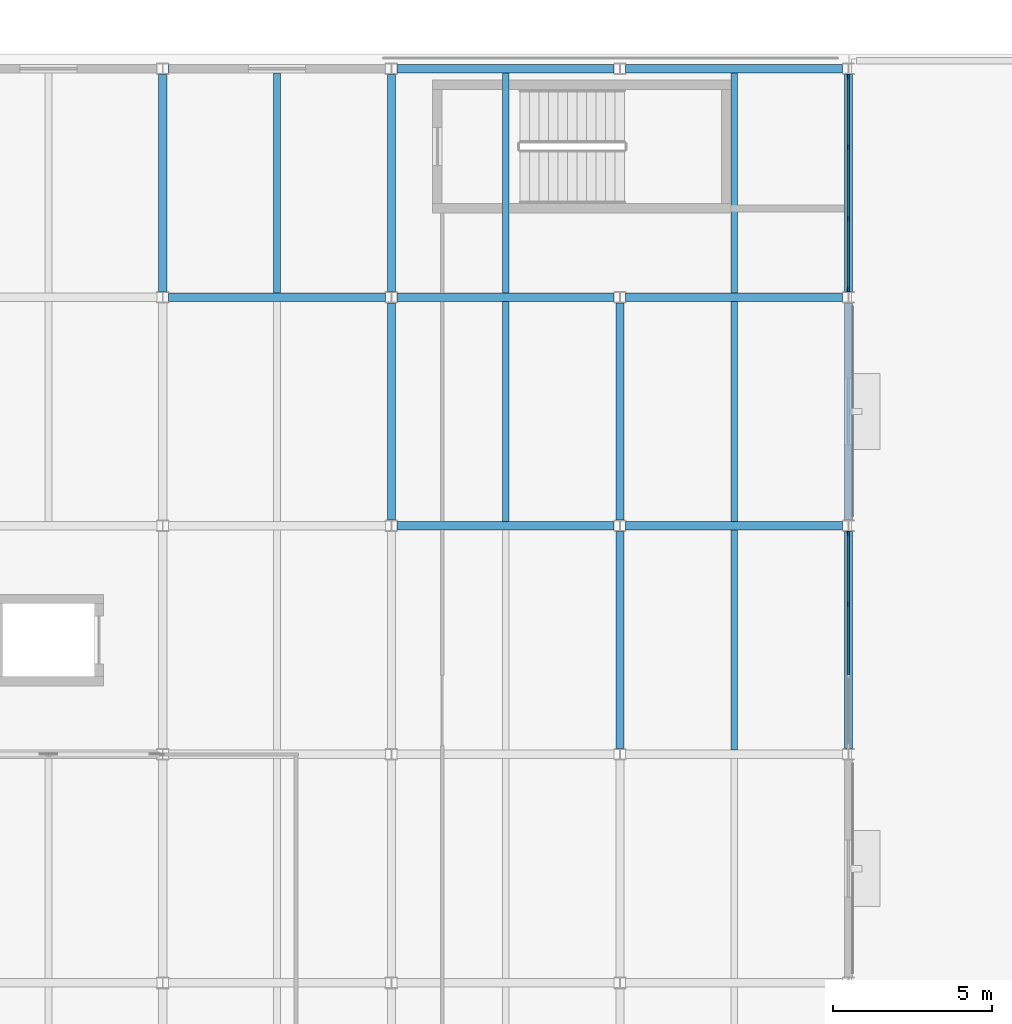
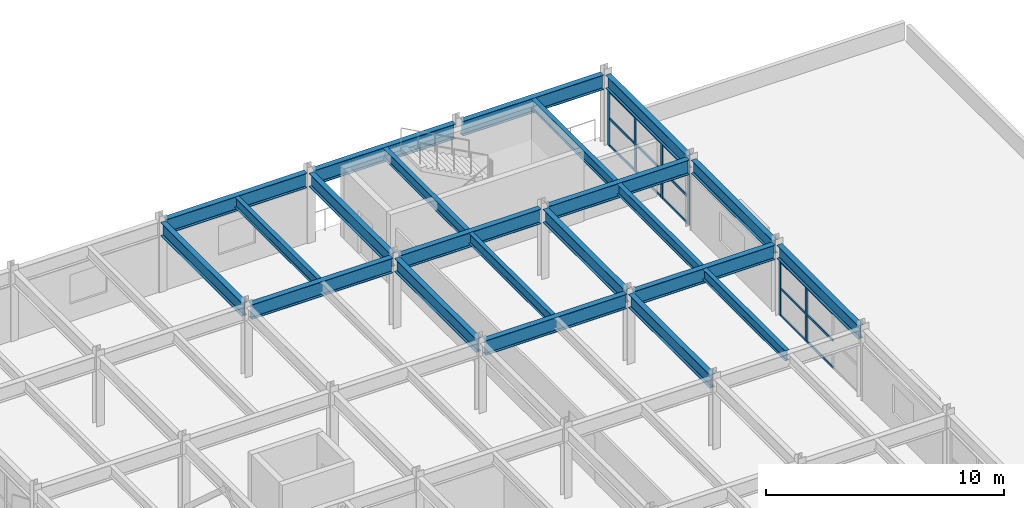
# One storey, part 37 of 80: 22 beams, 21 members, 2 elements without a shape of their own.
"""IFC4 building model written with IfcOpenShell, lengths in metres."""

from ifc_helpers import new_model, si_unit, direction, frame, origin, origin_2d, place, context, subcontext, project, spatial, rectangle, i_section, extrude, material, material_profile, profile_set, type_object, element, aggregate, save


model = new_model("IFC4")

# Units and contexts
model_context = context("Model", 3, precision=1e-05, world=origin(), true_north=direction((0.0, 1.0)))
body_context = subcontext(model_context, "Body", "Model", "MODEL_VIEW")
ifc_project = project(units=[si_unit("LENGTHUNIT", "METRE"), si_unit("AREAUNIT", "SQUARE_METRE"), si_unit("VOLUMEUNIT", "CUBIC_METRE"), si_unit("PLANEANGLEUNIT", "RADIAN"), si_unit("MASSUNIT", "GRAM", prefix="KILO")], contexts=[model_context])

# Site, building, storey
site_placement = place(None, origin())
site = spatial("IfcSite", under=ifc_project, at=site_placement, CompositionType="ELEMENT")
building_placement = place(site_placement, origin())
building = spatial("IfcBuilding", under=site, at=building_placement, Name="Vaelcorin Mobility Hub", CompositionType="ELEMENT")
storey_placement = place(building_placement, frame((0.0, 0.0, 9.300048828125)))
storey = spatial("IfcBuildingStorey", under=building, at=storey_placement, Name="L02", CompositionType="ELEMENT", Elevation=9.300048828125)

# Beams
ifc_material_1 = material(Name="Steel ASTM A992 Grade 50", Category="steel")
ifc_material_profile_1 = material_profile(ifc_material_1, i_section(OverallWidth=0.2099609375, OverallDepth=0.532958984375, WebThickness=0.01025390625, FlangeThickness=0.015625, FilletRadius=0.013916015625, at=origin_2d()), Name="W21X62")
ifc_profile_set_1 = profile_set([ifc_material_profile_1], Name="Steel ASTM A992 Grade 50")
beam_type_1 = type_object("IfcBeamType", Name="BM-W21X62", PredefinedType="JOIST", material=ifc_profile_set_1)
for number, where, z_axis, x_axis, name in (
    (1, (171.60009765625, 112.931884765625, 3.333984375), (0.0, 1.0, 0.0), (-1.0, 0.0, 0.0), "L02 Beam V5-L02-J-03-14-1"),
    (2, (178.800048828125, 105.73193359375, 3.333984375), (0.0, 1.0, 0.0), (-1.0, 0.0, 0.0), "L02 Beam V5-L02-J-04-13-1"),
    (3, (178.800048828125, 112.931884765625, 3.333984375), (0.0, 1.0, 0.0), (-1.0, 0.0, 0.0), "L02 Beam V5-L02-J-04-14-1"),
    (4, (186.0, 98.531982421875, 3.333984375), (0.0, 1.0, 0.0), (-1.0, 0.0, 0.0), "L02 Beam V5-L02-J-05-12-1"),
    (5, (186.0, 105.73193359375, 3.333984375), (0.0, 1.0, 0.0), (-1.0, 0.0, 0.0), "L02 Beam V5-L02-J-05-13-1"),
    (6, (186.0, 112.931884765625, 3.333984375), (0.0, 1.0, 0.0), (-1.0, 0.0, 0.0), "L02 Beam V5-L02-J-05-14-1"),
):
    element("IfcBeam", number, at=place(storey_placement, frame(where, z_axis=z_axis, x_axis=x_axis)), inside=storey, type_object=beam_type_1, Name=name, PredefinedType="JOIST", context=body_context, shape_type="SweptSolid", body=[
        extrude(i_section(OverallWidth=0.2099609375, OverallDepth=0.532958984375, WebThickness=0.01025390625, FlangeThickness=0.015625, FilletRadius=0.013916015625, at=origin_2d()), origin(), (0.0, 0.0, 1.0), 6.93603515625),
    ])
ifc_material_profile_2 = material_profile(ifc_material_1, i_section(OverallWidth=0.25390625, OverallDepth=0.68310546875, WebThickness=0.012451171875, FlangeThickness=0.018798828125, FilletRadius=0.01611328125, at=origin_2d()), Name="W27X94")
ifc_profile_set_2 = profile_set([ifc_material_profile_2], Name="Steel ASTM A992 Grade 50")
beam_type_2 = type_object("IfcBeamType", Name="BM-W27X94", PredefinedType="BEAM", material=ifc_profile_set_2)
beam_1_placement = place(storey_placement, frame((168.0, 112.97607421875, 3.258056640625), z_axis=(0.0, 1.0, 0.0), x_axis=(-1.0, 0.0, 0.0)))
element("IfcBeam", 7, at=beam_1_placement, inside=storey, type_object=beam_type_2, Name="L02 Beam V5-L02-GY-03-14", PredefinedType="BEAM", context=body_context, shape_type="SweptSolid", body=[
    extrude(i_section(OverallWidth=0.25390625, OverallDepth=0.68310546875, WebThickness=0.012451171875, FlangeThickness=0.018798828125, FilletRadius=0.01611328125, at=origin_2d()), origin(), (0.0, 0.0, 1.0), 6.847900390625),
])
beam_2_placement = place(storey_placement, frame((175.199951171875, 105.77587890625, 3.258056640625), z_axis=(0.0, 1.0, 0.0), x_axis=(-1.0, 0.0, 0.0)))
element("IfcBeam", 8, at=beam_2_placement, inside=storey, type_object=beam_type_2, Name="L02 Beam V5-L02-GY-04-13", PredefinedType="BEAM", context=body_context, shape_type="SweptSolid", body=[
    extrude(i_section(OverallWidth=0.25390625, OverallDepth=0.68310546875, WebThickness=0.012451171875, FlangeThickness=0.018798828125, FilletRadius=0.01611328125, at=origin_2d()), origin(), (0.0, 0.0, 1.0), 6.84814453125),
])
beam_3_placement = place(storey_placement, frame((175.199951171875, 112.97607421875, 3.258056640625), z_axis=(0.0, 1.0, 0.0), x_axis=(-1.0, 0.0, 0.0)))
element("IfcBeam", 9, at=beam_3_placement, inside=storey, type_object=beam_type_2, Name="L02 Beam V5-L02-GY-04-14", PredefinedType="BEAM", context=body_context, shape_type="SweptSolid", body=[
    extrude(i_section(OverallWidth=0.25390625, OverallDepth=0.68310546875, WebThickness=0.012451171875, FlangeThickness=0.018798828125, FilletRadius=0.01611328125, at=origin_2d()), origin(), (0.0, 0.0, 1.0), 6.847900390625),
])
for number, where, z_axis, x_axis, name in (
    (10, (182.39990234375, 98.575927734375, 3.258056640625), (0.0, 1.0, 0.0), (-1.0, 0.0, 0.0), "L02 Beam V5-L02-GY-05-12"),
    (11, (182.39990234375, 105.77587890625, 3.258056640625), (0.0, 1.0, 0.0), (-1.0, 0.0, 0.0), "L02 Beam V5-L02-GY-05-13"),
    (12, (189.60009765625, 98.575927734375, 3.258056640625), (0.0, 1.0, 0.0), (-1.0, 0.0, 0.0), "L02 Beam V5-L02-GY-06-12"),
    (13, (189.60009765625, 105.77587890625, 3.258056640625), (0.0, 1.0, 0.0), (-1.0, 0.0, 0.0), "L02 Beam V5-L02-GY-06-13"),
):
    element("IfcBeam", number, at=place(storey_placement, frame(where, z_axis=z_axis, x_axis=x_axis)), inside=storey, type_object=beam_type_2, Name=name, PredefinedType="BEAM", context=body_context, shape_type="SweptSolid", body=[
        extrude(i_section(OverallWidth=0.25390625, OverallDepth=0.68310546875, WebThickness=0.012451171875, FlangeThickness=0.018798828125, FilletRadius=0.01611328125, at=origin_2d()), origin(), (0.0, 0.0, 1.0), 6.84814453125),
    ])
beam_4_placement = place(storey_placement, frame((189.60009765625, 112.97607421875, 3.258056640625), z_axis=(0.0, 1.0, 0.0), x_axis=(-1.0, 0.0, 0.0)))
element("IfcBeam", 14, at=beam_4_placement, inside=storey, type_object=beam_type_2, Name="L02 Beam V5-L02-GY-06-14", PredefinedType="BEAM", context=body_context, shape_type="SweptSolid", body=[
    extrude(i_section(OverallWidth=0.25390625, OverallDepth=0.68310546875, WebThickness=0.012451171875, FlangeThickness=0.018798828125, FilletRadius=0.01611328125, at=origin_2d()), origin(), (0.0, 0.0, 1.0), 6.847900390625),
])
ifc_material_profile_3 = material_profile(ifc_material_1, i_section(OverallWidth=0.26708984375, OverallDepth=0.757080078125, WebThickness=0.013916015625, FlangeThickness=0.019287109375, FilletRadius=0.01708984375, at=origin_2d()), Name="W30X108")
ifc_profile_set_3 = profile_set([ifc_material_profile_3], Name="Steel ASTM A992 Grade 50")
beam_type_3 = type_object("IfcBeamType", Name="BM-W30X108", PredefinedType="BEAM", material=ifc_profile_set_3)
for number, where, z_axis, x_axis, name in (
    (15, (175.382080078125, 105.60009765625, 3.221923828125), (1.0, 0.0, 0.0), (0.0, 1.0, 0.0), "L02 Beam V5-L02-GX-13-04"),
    (16, (182.58203125, 105.60009765625, 3.221923828125), (1.0, 0.0, 0.0), (0.0, 1.0, 0.0), "L02 Beam V5-L02-GX-13-05"),
):
    element("IfcBeam", number, at=place(storey_placement, frame(where, z_axis=z_axis, x_axis=x_axis)), inside=storey, type_object=beam_type_3, Name=name, PredefinedType="BEAM", context=body_context, shape_type="SweptSolid", body=[
        extrude(i_section(OverallWidth=0.26708984375, OverallDepth=0.757080078125, WebThickness=0.013916015625, FlangeThickness=0.019287109375, FilletRadius=0.01708984375, at=origin_2d()), origin(), (0.0, 0.0, 1.0), 6.8359375),
    ])
beam_5_placement = place(storey_placement, frame((168.181884765625, 112.800048828125, 3.221923828125), z_axis=(1.0, 0.0, 0.0), x_axis=(0.0, 1.0, 0.0)))
element("IfcBeam", 17, at=beam_5_placement, inside=storey, type_object=beam_type_3, Name="L02 Beam V5-L02-GX-14-03", PredefinedType="BEAM", context=body_context, shape_type="SweptSolid", body=[
    extrude(i_section(OverallWidth=0.26708984375, OverallDepth=0.757080078125, WebThickness=0.013916015625, FlangeThickness=0.019287109375, FilletRadius=0.01708984375, at=origin_2d()), origin(), (0.0, 0.0, 1.0), 6.836181640625),
])
for number, where, z_axis, x_axis, name in (
    (18, (175.382080078125, 112.800048828125, 3.221923828125), (1.0, 0.0, 0.0), (0.0, 1.0, 0.0), "L02 Beam V5-L02-GX-14-04"),
    (19, (182.58203125, 112.800048828125, 3.221923828125), (1.0, 0.0, 0.0), (0.0, 1.0, 0.0), "L02 Beam V5-L02-GX-14-05"),
):
    element("IfcBeam", number, at=place(storey_placement, frame(where, z_axis=z_axis, x_axis=x_axis)), inside=storey, type_object=beam_type_3, Name=name, PredefinedType="BEAM", context=body_context, shape_type="SweptSolid", body=[
        extrude(i_section(OverallWidth=0.26708984375, OverallDepth=0.757080078125, WebThickness=0.013916015625, FlangeThickness=0.019287109375, FilletRadius=0.01708984375, at=origin_2d()), origin(), (0.0, 0.0, 1.0), 6.8359375),
    ])
beam_6_placement = place(storey_placement, frame((168.181884765625, 120.0, 3.221923828125), z_axis=(1.0, 0.0, 0.0), x_axis=(0.0, 1.0, 0.0)))
element("IfcBeam", 20, at=beam_6_placement, inside=storey, type_object=beam_type_3, Name="L02 Beam V5-L02-GX-15-03", PredefinedType="BEAM", context=body_context, shape_type="SweptSolid", body=[
    extrude(i_section(OverallWidth=0.26708984375, OverallDepth=0.757080078125, WebThickness=0.013916015625, FlangeThickness=0.019287109375, FilletRadius=0.01708984375, at=origin_2d()), origin(), (0.0, 0.0, 1.0), 6.836181640625),
])
for number, where, z_axis, x_axis, name in (
    (21, (175.382080078125, 120.0, 3.221923828125), (1.0, 0.0, 0.0), (0.0, 1.0, 0.0), "L02 Beam V5-L02-GX-15-04"),
    (22, (182.58203125, 120.0, 3.221923828125), (1.0, 0.0, 0.0), (0.0, 1.0, 0.0), "L02 Beam V5-L02-GX-15-05"),
):
    element("IfcBeam", number, at=place(storey_placement, frame(where, z_axis=z_axis, x_axis=x_axis)), inside=storey, type_object=beam_type_3, Name=name, PredefinedType="BEAM", context=body_context, shape_type="SweptSolid", body=[
        extrude(i_section(OverallWidth=0.26708984375, OverallDepth=0.757080078125, WebThickness=0.013916015625, FlangeThickness=0.019287109375, FilletRadius=0.01708984375, at=origin_2d()), origin(), (0.0, 0.0, 1.0), 6.8359375),
    ])

# Curtain wall, members
ifc_material_2 = material(Name="Anodised aluminium 6063-T6", Category="aluminium")
curtain_wall_type = type_object("IfcCurtainWallType", Name="CW-MOB-A", PredefinedType="NOTDEFINED", material=ifc_material_2)
curtain_wall_1_placement = place(storey_placement, origin())
curtain_wall_1 = element("IfcCurtainWall", 23, at=curtain_wall_1_placement, inside=storey, type_object=curtain_wall_type, Name="L02 Curtain Wall CW-V5-L02-E-12", PredefinedType="NOTDEFINED")
ifc_material_profile_4 = material_profile(ifc_material_2, rectangle(XDim=0.06005859375, YDim=0.159912109375, at=origin_2d()), Name="ALU-M60X160")
ifc_profile_set_4 = profile_set([ifc_material_profile_4], Name="Anodised aluminium 6063-T6")
member_type_1 = type_object("IfcMemberType", Name="CW-MULL-160", PredefinedType="MULLION", material=ifc_profile_set_4)
member_1_placement = place(storey_placement, frame((189.60009765625, 105.35009765625, 0.0), z_axis=(0.0, 0.0, 1.0), x_axis=(1.0, 0.0, 0.0)))
member_1 = element("IfcMember", 24, at=member_1_placement, type_object=member_type_1, Name="CW7 mullion 1", PredefinedType="MULLION", context=body_context, shape_type="SweptSolid", body=[
    extrude(rectangle(XDim=0.06005859375, YDim=0.159912109375, at=origin_2d()), origin(), (0.0, 0.0, 1.0), 2.827880859375),
])
member_2_placement = place(storey_placement, frame((189.60009765625, 103.126708984375, 0.0), z_axis=(0.0, 0.0, 1.0), x_axis=(1.0, 0.0, 0.0)))
member_2 = element("IfcMember", 25, at=member_2_placement, type_object=member_type_1, Name="CW7 mullion 2", PredefinedType="MULLION", context=body_context, shape_type="SweptSolid", body=[
    extrude(rectangle(XDim=0.06005859375, YDim=0.159912109375, at=origin_2d()), origin(), (0.0, 0.0, 1.0), 2.827880859375),
])

curtain_wall_2_placement = place(storey_placement, origin())
curtain_wall_2 = element("IfcCurtainWall", 26, at=curtain_wall_2_placement, inside=storey, type_object=curtain_wall_type, Name="L02 Curtain Wall CW-V5-L02-E-14", PredefinedType="NOTDEFINED")
member_3_placement = place(storey_placement, frame((189.60009765625, 119.75, 0.0), z_axis=(0.0, 0.0, 1.0), x_axis=(1.0, 0.0, 0.0)))
member_3 = element("IfcMember", 27, at=member_3_placement, type_object=member_type_1, Name="CW7 mullion 1", PredefinedType="MULLION", context=body_context, shape_type="SweptSolid", body=[
    extrude(rectangle(XDim=0.06005859375, YDim=0.159912109375, at=origin_2d()), origin(), (0.0, 0.0, 1.0), 2.827880859375),
])
member_4_placement = place(storey_placement, frame((189.60009765625, 117.526611328125, 0.0), z_axis=(0.0, 0.0, 1.0), x_axis=(1.0, 0.0, 0.0)))
member_4 = element("IfcMember", 28, at=member_4_placement, type_object=member_type_1, Name="CW7 mullion 2", PredefinedType="MULLION", context=body_context, shape_type="SweptSolid", body=[
    extrude(rectangle(XDim=0.06005859375, YDim=0.159912109375, at=origin_2d()), origin(), (0.0, 0.0, 1.0), 2.827880859375),
])
member_5_placement = place(storey_placement, frame((189.60009765625, 115.2734375, 0.0), z_axis=(0.0, 0.0, 1.0), x_axis=(1.0, 0.0, 0.0)))
member_5 = element("IfcMember", 29, at=member_5_placement, type_object=member_type_1, Name="CW7 mullion 3", PredefinedType="MULLION", context=body_context, shape_type="SweptSolid", body=[
    extrude(rectangle(XDim=0.06005859375, YDim=0.159912109375, at=origin_2d()), origin(), (0.0, 0.0, 1.0), 2.827880859375),
])
member_6_placement = place(storey_placement, frame((189.60009765625, 113.050048828125, 0.0), z_axis=(0.0, 0.0, 1.0), x_axis=(1.0, 0.0, 0.0)))
member_6 = element("IfcMember", 30, at=member_6_placement, type_object=member_type_1, Name="CW7 mullion 4", PredefinedType="MULLION", context=body_context, shape_type="SweptSolid", body=[
    extrude(rectangle(XDim=0.06005859375, YDim=0.159912109375, at=origin_2d()), origin(), (0.0, 0.0, 1.0), 2.827880859375),
])

# Member
ifc_material_profile_5 = material_profile(ifc_material_2, rectangle(XDim=0.06005859375, YDim=0.1201171875, at=origin_2d()), Name="ALU-T60X120")
ifc_profile_set_5 = profile_set([ifc_material_profile_5], Name="Anodised aluminium 6063-T6")
member_type_2 = type_object("IfcMemberType", Name="CW-TRAN-140", PredefinedType="USERDEFINED", material=ifc_profile_set_5)
member_7_placement = place(storey_placement, frame((189.60009765625, 105.320068359375, 0.030029296875), z_axis=(0.0, -1.0, 0.0), x_axis=(1.0, 0.0, 0.0)))
member_7 = element("IfcMember", 31, at=member_7_placement, type_object=member_type_2, Name="CW7 transom 1.1", ObjectType="TRANSOM", PredefinedType="USERDEFINED", context=body_context, shape_type="SweptSolid", body=[
    extrude(rectangle(XDim=0.06005859375, YDim=0.1201171875, at=origin_2d()), origin(), (0.0, 0.0, 1.0), 2.163330078125),
])

member_8_placement = place(storey_placement, frame((189.60009765625, 105.320068359375, 1.4140625), z_axis=(0.0, -1.0, 0.0), x_axis=(1.0, 0.0, 0.0)))
member_8 = element("IfcMember", 32, at=member_8_placement, type_object=member_type_2, Name="CW7 transom 1.2", ObjectType="TRANSOM", PredefinedType="USERDEFINED", context=body_context, shape_type="SweptSolid", body=[
    extrude(rectangle(XDim=0.06005859375, YDim=0.1201171875, at=origin_2d()), origin(), (0.0, 0.0, 1.0), 2.163330078125),
])

member_9_placement = place(storey_placement, frame((189.60009765625, 105.320068359375, 2.7978515625), z_axis=(0.0, -1.0, 0.0), x_axis=(1.0, 0.0, 0.0)))
member_9 = element("IfcMember", 33, at=member_9_placement, type_object=member_type_2, Name="CW7 transom 1.3", ObjectType="TRANSOM", PredefinedType="USERDEFINED", context=body_context, shape_type="SweptSolid", body=[
    extrude(rectangle(XDim=0.06005859375, YDim=0.1201171875, at=origin_2d()), origin(), (0.0, 0.0, 1.0), 2.163330078125),
])

member_10_placement = place(storey_placement, frame((189.60009765625, 103.0966796875, 0.030029296875), z_axis=(0.0, -1.0, 0.0), x_axis=(1.0, 0.0, 0.0)))
member_10 = element("IfcMember", 34, at=member_10_placement, type_object=member_type_2, Name="CW7 transom 2.1", ObjectType="TRANSOM", PredefinedType="USERDEFINED", context=body_context, shape_type="SweptSolid", body=[
    extrude(rectangle(XDim=0.06005859375, YDim=0.1201171875, at=origin_2d()), origin(), (0.0, 0.0, 1.0), 2.193359375),
])

member_11_placement = place(storey_placement, frame((189.60009765625, 103.0966796875, 1.4140625), z_axis=(0.0, -1.0, 0.0), x_axis=(1.0, 0.0, 0.0)))
member_11 = element("IfcMember", 35, at=member_11_placement, type_object=member_type_2, Name="CW7 transom 2.2", ObjectType="TRANSOM", PredefinedType="USERDEFINED", context=body_context, shape_type="SweptSolid", body=[
    extrude(rectangle(XDim=0.06005859375, YDim=0.1201171875, at=origin_2d()), origin(), (0.0, 0.0, 1.0), 2.193359375),
])

member_12_placement = place(storey_placement, frame((189.60009765625, 103.0966796875, 2.7978515625), z_axis=(0.0, -1.0, 0.0), x_axis=(1.0, 0.0, 0.0)))
member_12 = element("IfcMember", 36, at=member_12_placement, type_object=member_type_2, Name="CW7 transom 2.3", ObjectType="TRANSOM", PredefinedType="USERDEFINED", context=body_context, shape_type="SweptSolid", body=[
    extrude(rectangle(XDim=0.06005859375, YDim=0.1201171875, at=origin_2d()), origin(), (0.0, 0.0, 1.0), 2.193359375),
])

aggregate(curtain_wall_1, [member_1, member_2, member_7, member_8, member_9, member_10, member_11, member_12])

member_13_placement = place(storey_placement, frame((189.60009765625, 119.719970703125, 0.030029296875), z_axis=(0.0, -1.0, 0.0), x_axis=(1.0, 0.0, 0.0)))
member_13 = element("IfcMember", 37, at=member_13_placement, type_object=member_type_2, Name="CW7 transom 1.1", ObjectType="TRANSOM", PredefinedType="USERDEFINED", context=body_context, shape_type="SweptSolid", body=[
    extrude(rectangle(XDim=0.06005859375, YDim=0.1201171875, at=origin_2d()), origin(), (0.0, 0.0, 1.0), 2.163330078125),
])

member_14_placement = place(storey_placement, frame((189.60009765625, 119.719970703125, 1.4140625), z_axis=(0.0, -1.0, 0.0), x_axis=(1.0, 0.0, 0.0)))
member_14 = element("IfcMember", 38, at=member_14_placement, type_object=member_type_2, Name="CW7 transom 1.2", ObjectType="TRANSOM", PredefinedType="USERDEFINED", context=body_context, shape_type="SweptSolid", body=[
    extrude(rectangle(XDim=0.06005859375, YDim=0.1201171875, at=origin_2d()), origin(), (0.0, 0.0, 1.0), 2.163330078125),
])

member_15_placement = place(storey_placement, frame((189.60009765625, 119.719970703125, 2.7978515625), z_axis=(0.0, -1.0, 0.0), x_axis=(1.0, 0.0, 0.0)))
member_15 = element("IfcMember", 39, at=member_15_placement, type_object=member_type_2, Name="CW7 transom 1.3", ObjectType="TRANSOM", PredefinedType="USERDEFINED", context=body_context, shape_type="SweptSolid", body=[
    extrude(rectangle(XDim=0.06005859375, YDim=0.1201171875, at=origin_2d()), origin(), (0.0, 0.0, 1.0), 2.163330078125),
])

member_16_placement = place(storey_placement, frame((189.60009765625, 117.49658203125, 0.030029296875), z_axis=(0.0, -1.0, 0.0), x_axis=(1.0, 0.0, 0.0)))
member_16 = element("IfcMember", 40, at=member_16_placement, type_object=member_type_2, Name="CW7 transom 2.1", ObjectType="TRANSOM", PredefinedType="USERDEFINED", context=body_context, shape_type="SweptSolid", body=[
    extrude(rectangle(XDim=0.06005859375, YDim=0.1201171875, at=origin_2d()), origin(), (0.0, 0.0, 1.0), 2.193359375),
])

member_17_placement = place(storey_placement, frame((189.60009765625, 117.49658203125, 1.4140625), z_axis=(0.0, -1.0, 0.0), x_axis=(1.0, 0.0, 0.0)))
member_17 = element("IfcMember", 41, at=member_17_placement, type_object=member_type_2, Name="CW7 transom 2.2", ObjectType="TRANSOM", PredefinedType="USERDEFINED", context=body_context, shape_type="SweptSolid", body=[
    extrude(rectangle(XDim=0.06005859375, YDim=0.1201171875, at=origin_2d()), origin(), (0.0, 0.0, 1.0), 2.193359375),
])

member_18_placement = place(storey_placement, frame((189.60009765625, 117.49658203125, 2.7978515625), z_axis=(0.0, -1.0, 0.0), x_axis=(1.0, 0.0, 0.0)))
member_18 = element("IfcMember", 42, at=member_18_placement, type_object=member_type_2, Name="CW7 transom 2.3", ObjectType="TRANSOM", PredefinedType="USERDEFINED", context=body_context, shape_type="SweptSolid", body=[
    extrude(rectangle(XDim=0.06005859375, YDim=0.1201171875, at=origin_2d()), origin(), (0.0, 0.0, 1.0), 2.193359375),
])

member_19_placement = place(storey_placement, frame((189.60009765625, 115.243408203125, 0.030029296875), z_axis=(0.0, -1.0, 0.0), x_axis=(1.0, 0.0, 0.0)))
member_19 = element("IfcMember", 43, at=member_19_placement, type_object=member_type_2, Name="CW7 transom 3.1", ObjectType="TRANSOM", PredefinedType="USERDEFINED", context=body_context, shape_type="SweptSolid", body=[
    extrude(rectangle(XDim=0.06005859375, YDim=0.1201171875, at=origin_2d()), origin(), (0.0, 0.0, 1.0), 2.163330078125),
])

member_20_placement = place(storey_placement, frame((189.60009765625, 115.243408203125, 1.4140625), z_axis=(0.0, -1.0, 0.0), x_axis=(1.0, 0.0, 0.0)))
member_20 = element("IfcMember", 44, at=member_20_placement, type_object=member_type_2, Name="CW7 transom 3.2", ObjectType="TRANSOM", PredefinedType="USERDEFINED", context=body_context, shape_type="SweptSolid", body=[
    extrude(rectangle(XDim=0.06005859375, YDim=0.1201171875, at=origin_2d()), origin(), (0.0, 0.0, 1.0), 2.163330078125),
])

member_21_placement = place(storey_placement, frame((189.60009765625, 115.243408203125, 2.7978515625), z_axis=(0.0, -1.0, 0.0), x_axis=(1.0, 0.0, 0.0)))
member_21 = element("IfcMember", 45, at=member_21_placement, type_object=member_type_2, Name="CW7 transom 3.3", ObjectType="TRANSOM", PredefinedType="USERDEFINED", context=body_context, shape_type="SweptSolid", body=[
    extrude(rectangle(XDim=0.06005859375, YDim=0.1201171875, at=origin_2d()), origin(), (0.0, 0.0, 1.0), 2.163330078125),
])

aggregate(curtain_wall_2, [member_3, member_4, member_5, member_6, member_13, member_14, member_15, member_16, member_17, member_18, member_19, member_20, member_21])

save(model, "model.ifc")
